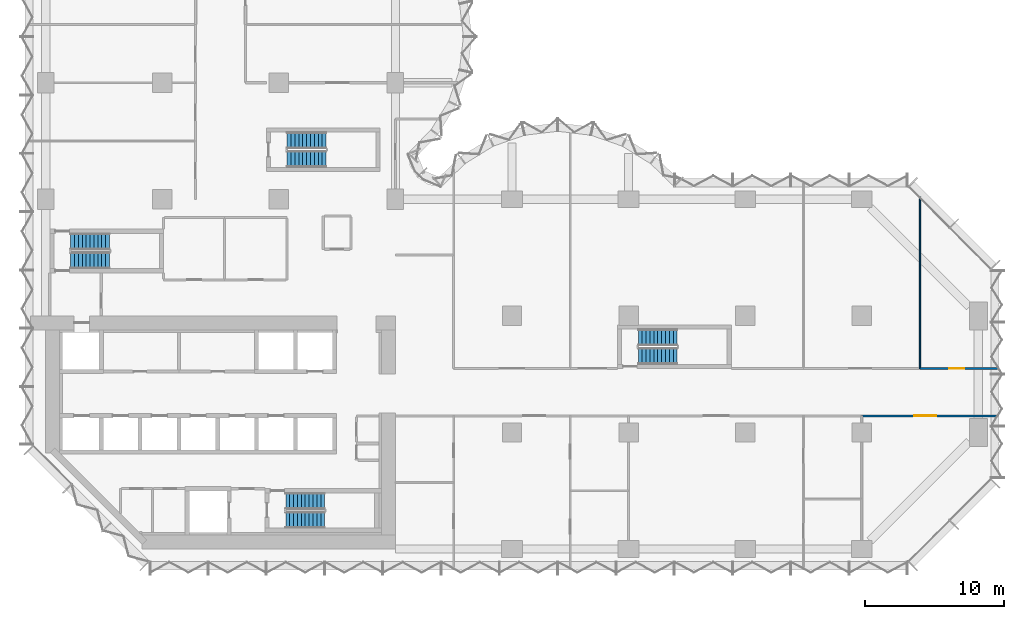
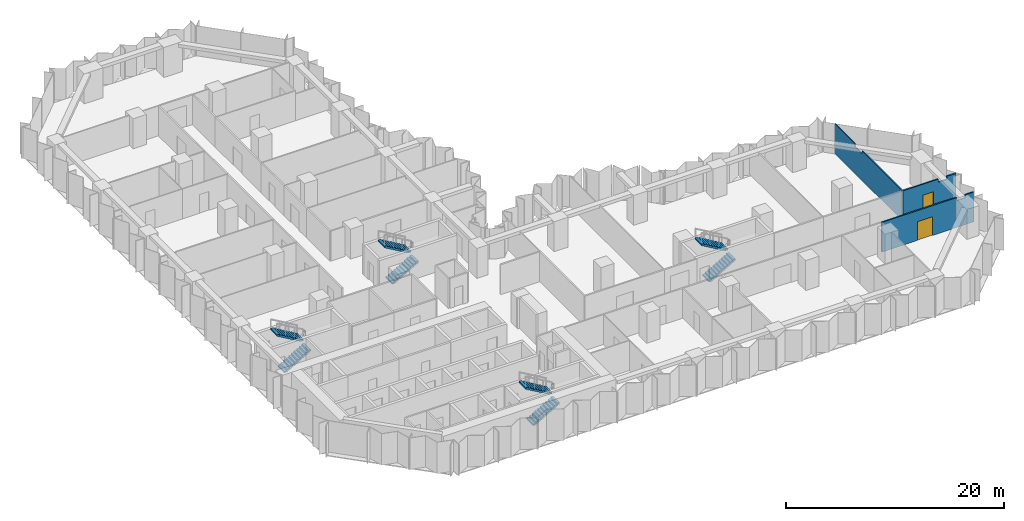
# One storey, part 12 of 15: 8 stair flights, 3 walls, 2 doors, 2 openings, 4 elements without a shape of their own.
"""IFC4 building model written with IfcOpenShell, lengths in metres."""

from ifc_helpers import new_model, si_unit, direction, frame, frame_2d, origin, place, context, subcontext, project, spatial, polyline, rectangle, outline, extrude, material, layer, layer_set, type_object, element, fill, aggregate, save


model = new_model("IFC4")

# Units and contexts
model_context = context("Model", 3, precision=1e-05, world=origin(), true_north=direction((0.0, 1.0)))
body_context = subcontext(model_context, "Body", "Model", "MODEL_VIEW")
ifc_project = project(units=[si_unit("LENGTHUNIT", "METRE"), si_unit("AREAUNIT", "SQUARE_METRE"), si_unit("VOLUMEUNIT", "CUBIC_METRE"), si_unit("PLANEANGLEUNIT", "RADIAN"), si_unit("MASSUNIT", "GRAM", prefix="KILO")], contexts=[model_context])

# Site, building, storey
site_placement = place(None, origin())
site = spatial("IfcSite", under=ifc_project, at=site_placement, CompositionType="ELEMENT")
building_placement = place(site_placement, origin())
building = spatial("IfcBuilding", under=site, at=building_placement, Name="Brevane Broadcast Tower", CompositionType="ELEMENT")
storey_placement = place(building_placement, frame((0.0, 0.0, 50.89990234375)))
storey = spatial("IfcBuildingStorey", under=building, at=storey_placement, Name="L10", CompositionType="ELEMENT", Elevation=50.89990234375)

# Wall
ifc_material_1 = material(Name="Gypsum board partition")
ifc_layer_1 = layer(ifc_material_1, 0.10009765625)
ifc_layer_set_1 = layer_set([ifc_layer_1], Name="PARTITION 100 STUD")
wall_type_1 = type_object("IfcWallType", Name="PARTITION 100 STUD", PredefinedType="PARTITIONING", material=ifc_layer_set_1)
wall_1_placement = place(storey_placement, frame((63.0, 25.39990234375, 0.0), z_axis=(0.0, 0.0, 1.0), x_axis=(0.0, -1.0, 0.0)))
element("IfcWall", 1, at=wall_1_placement, inside=storey, type_object=wall_type_1, Name="Partition G02-034", PredefinedType="PARTITIONING", context=body_context, shape_type="SweptSolid", body=[
    extrude(outline(polyline([(0.0, 0.0), (12.39990234375, 0.0), (12.39990234375, 3.330078125), (5.065673828125, 3.330078125), (5.063720703125, 2.97998046875), (3.736328125, 2.97998046875), (3.734375, 3.330078125), (0.0, 3.330078125), (0.0, 0.0)])), frame((0.0, 0.050048828125, 0.0), z_axis=(0.0, -1.0, 0.0), x_axis=(1.0, 0.0, 0.0)), (0.0, 0.0, 1.0), 0.10009765625),
])

# Wall, opening, door
ifc_layer_2 = layer(ifc_material_1, 0.14990234375)
ifc_layer_set_2 = layer_set([ifc_layer_2], Name="PARTITION 150 EI 60")
wall_type_2 = type_object("IfcWallType", Name="PARTITION 150 EI 60", PredefinedType="PARTITIONING", material=ifc_layer_set_2)
wall_2_placement = place(storey_placement, frame((68.530517578125, 9.60009765625, 0.0), z_axis=(0.0, 0.0, 1.0), x_axis=(-1.0, 0.0, 0.0)))
wall_2 = element("IfcWall", 2, at=wall_2_placement, inside=storey, type_object=wall_type_2, Name="Partition G02-011", PredefinedType="PARTITIONING", context=body_context, shape_type="SweptSolid", body=[
    extrude(outline(polyline([(0.0, 0.0), (9.73046875, 0.0), (9.73046875, 3.330078125), (1.780517578125, 3.330078125), (1.778564453125, 2.97998046875), (0.882568359375, 2.97998046875), (0.880615234375, 3.330078125), (0.25048828125, 3.330078125), (0.0, 3.330078125), (0.0, 0.0)])), frame((0.0, 0.074951171875, 0.0), z_axis=(0.0, -1.0, 0.0), x_axis=(1.0, 0.0, 0.0)), (0.0, 0.0, 1.0), 0.14990234375),
])
opening_1_placement = place(wall_2_placement, frame((4.3505859375, 0.0, 0.0)))
opening_1 = element("IfcOpeningElement", 3, at=opening_1_placement, cuts=wall_2, Name="Opening D08-010", PredefinedType="OPENING", context=body_context, shape_type="SweptSolid", body=[
    extrude(rectangle(XDim=1.60009765625, YDim=2.10009765625, at=frame_2d((0.800048828125, 1.050048828125))), frame((0.0, 0.0849609375, 0.0), z_axis=(0.0, -1.0, 0.0), x_axis=(1.0, 0.0, 0.0)), (0.0, 0.0, 1.0), 0.169921875),
])
ifc_material_2 = material(Name="Fire-rated timber door leaf", Category="wood")
door_type_1 = type_object("IfcDoorType", Name="DOOR DOUBLE 1600 FD30S", OperationType="DOUBLE_DOOR_SINGLE_SWING", PredefinedType="DOOR", material=ifc_material_2)
door_1_placement = place(opening_1_placement, origin())
door_1 = element("IfcDoor", 4, at=door_1_placement, inside=storey, type_object=door_type_1, Name="Door D08-010", OperationType="DOUBLE_DOOR_SINGLE_SWING", OverallHeight=2.10009765625, OverallWidth=1.60009765625, PredefinedType="DOOR", context=body_context, shape_type="SweptSolid", body=[
    extrude(rectangle(XDim=1.60009765625, YDim=2.10009765625, at=frame_2d((0.800048828125, 1.050048828125))), frame((0.0, 0.02490234375, 0.0), z_axis=(0.0, -1.0, 0.0), x_axis=(1.0, 0.0, 0.0)), (0.0, 0.0, 1.0), 0.050048828125),
])
fill(opening_1, door_1)

wall_3_placement = place(storey_placement, frame((63.0, 13.0, 0.0), z_axis=(0.0, 0.0, 1.0), x_axis=(1.0, 0.0, 0.0)))
wall_3 = element("IfcWall", 5, at=wall_3_placement, inside=storey, type_object=wall_type_2, Name="Partition G02-016", PredefinedType="PARTITIONING", context=body_context, shape_type="SweptSolid", body=[
    extrude(outline(polyline([(0.0, 0.0), (5.619384765625, 0.0), (5.619384765625, 3.330078125), (5.280029296875, 3.330078125), (4.64990234375, 3.330078125), (4.64794921875, 2.97998046875), (3.751953125, 2.97998046875), (3.75, 3.330078125), (0.0, 3.330078125), (0.0, 0.0)])), frame((0.0, 0.074951171875, 0.0), z_axis=(0.0, -1.0, 0.0), x_axis=(1.0, 0.0, 0.0)), (0.0, 0.0, 1.0), 0.14990234375),
])
opening_2_placement = place(wall_3_placement, frame((2.10009765625, 0.0, 0.0)))
opening_2 = element("IfcOpeningElement", 6, at=opening_2_placement, cuts=wall_3, Name="Opening D08-014", PredefinedType="OPENING", context=body_context, shape_type="SweptSolid", body=[
    extrude(rectangle(XDim=1.10009765625, YDim=2.10009765625, at=frame_2d((0.550048828125, 1.050048828125))), frame((0.0, 0.0849609375, 0.0), z_axis=(0.0, -1.0, 0.0), x_axis=(1.0, 0.0, 0.0)), (0.0, 0.0, 1.0), 0.169921875),
])
door_type_2 = type_object("IfcDoorType", Name="DOOR SINGLE 1100 FD30S", OperationType="SINGLE_SWING_LEFT", PredefinedType="DOOR", material=ifc_material_2)
door_2_placement = place(opening_2_placement, origin())
door_2 = element("IfcDoor", 7, at=door_2_placement, inside=storey, type_object=door_type_2, Name="Door D08-014", OperationType="SINGLE_SWING_LEFT", OverallHeight=2.10009765625, OverallWidth=1.10009765625, PredefinedType="DOOR", context=body_context, shape_type="SweptSolid", body=[
    extrude(rectangle(XDim=1.10009765625, YDim=2.10009765625, at=frame_2d((0.550048828125, 1.050048828125))), frame((0.0, 0.02490234375, 0.0), z_axis=(0.0, -1.0, 0.0), x_axis=(1.0, 0.0, 0.0)), (0.0, 0.0, 1.0), 0.050048828125),
])
fill(opening_2, door_2)

# Stair, stair flights
ifc_material_3 = material(Name="Concrete C50/60", Category="concrete")
stair_type = type_object("IfcStairType", Name="Exit stair 22 risers", PredefinedType="HALF_TURN_STAIR", material=ifc_material_3)
stair_1_placement = place(storey_placement, origin())
stair_1 = element("IfcStair", 8, at=stair_1_placement, inside=storey, type_object=stair_type, Name="L10 Exit stair ST-1", PredefinedType="HALF_TURN_STAIR")
stair_flight_type = type_object("IfcStairFlightType", Name="Exit stair flight 22 risers", PredefinedType="STRAIGHT", material=ifc_material_3)
stair_flight_1_placement = place(storey_placement, frame((1.800048828125, 20.800048828125, 0.0), z_axis=(0.0, 0.0, 1.0), x_axis=(1.0, 0.0, 0.0)))
stair_flight_1 = element("IfcStairFlight", 9, at=stair_flight_1_placement, type_object=stair_flight_type, Name="ST-1 flight 1", NumberOfRisers=11, NumberOfTreads=10, PredefinedType="STRAIGHT", RiserHeight=0.163636364, TreadLength=0.28, context=body_context, shape_type="SweptSolid", body=[
    extrude(outline(polyline([(0.0, 0.0), (0.0, 0.16357421875), (0.280029296875, 0.16357421875), (0.280029296875, 0.327392578125), (0.56005859375, 0.327392578125), (0.56005859375, 0.490966796875), (0.840087890625, 0.490966796875), (0.840087890625, 0.654541015625), (1.1201171875, 0.654541015625), (1.1201171875, 0.818115234375), (1.39990234375, 0.818115234375), (1.39990234375, 0.98193359375), (1.679931640625, 0.98193359375), (1.679931640625, 1.1455078125), (1.9599609375, 1.1455078125), (1.9599609375, 1.30908203125), (2.239990234375, 1.30908203125), (2.239990234375, 1.47265625), (2.52001953125, 1.47265625), (2.52001953125, 1.636474609375), (2.800048828125, 1.636474609375), (2.800048828125, 1.800048828125), (2.800048828125, 1.462646484375), (0.297119140625, 0.0), (0.0, 0.0)])), frame((0.0, 0.60009765625, 0.0), z_axis=(0.0, -1.0, 0.0), x_axis=(1.0, 0.0, 0.0)), (0.0, 0.0, 1.0), 1.199951171875),
])
stair_flight_2_placement = place(storey_placement, frame((4.60009765625, 22.14990234375, 1.800048828125), z_axis=(0.0, 0.0, 1.0), x_axis=(-1.0, 0.0, 0.0)))
stair_flight_2 = element("IfcStairFlight", 10, at=stair_flight_2_placement, type_object=stair_flight_type, Name="ST-1 flight 2", NumberOfRisers=11, NumberOfTreads=10, PredefinedType="STRAIGHT", RiserHeight=0.163636364, TreadLength=0.28, context=body_context, shape_type="SweptSolid", body=[
    extrude(outline(polyline([(0.0, 0.0), (0.0, 0.16357421875), (0.280029296875, 0.16357421875), (0.280029296875, 0.327392578125), (0.56005859375, 0.327392578125), (0.56005859375, 0.490966796875), (0.840087890625, 0.490966796875), (0.840087890625, 0.654541015625), (1.1201171875, 0.654541015625), (1.1201171875, 0.818115234375), (1.39990234375, 0.818115234375), (1.39990234375, 0.98193359375), (1.679931640625, 0.98193359375), (1.679931640625, 1.1455078125), (1.9599609375, 1.1455078125), (1.9599609375, 1.30908203125), (2.239990234375, 1.30908203125), (2.239990234375, 1.47265625), (2.52001953125, 1.47265625), (2.52001953125, 1.636474609375), (2.800048828125, 1.636474609375), (2.800048828125, 1.800048828125), (2.800048828125, 1.462646484375), (0.297119140625, 0.0), (0.0, 0.0)])), frame((0.0, 0.60009765625, 0.0), z_axis=(0.0, -1.0, 0.0), x_axis=(1.0, 0.0, 0.0)), (0.0, 0.0, 1.0), 1.199951171875),
])
aggregate(stair_1, [stair_flight_1, stair_flight_2])

stair_2_placement = place(storey_placement, origin())
stair_2 = element("IfcStair", 11, at=stair_2_placement, inside=storey, type_object=stair_type, Name="L10 Exit stair ST-2", PredefinedType="HALF_TURN_STAIR")
stair_flight_3_placement = place(storey_placement, frame((17.300048828125, 2.10009765625, 0.0), z_axis=(0.0, 0.0, 1.0), x_axis=(1.0, 0.0, 0.0)))
stair_flight_3 = element("IfcStairFlight", 12, at=stair_flight_3_placement, type_object=stair_flight_type, Name="ST-2 flight 1", NumberOfRisers=11, NumberOfTreads=10, PredefinedType="STRAIGHT", RiserHeight=0.163636364, TreadLength=0.28, context=body_context, shape_type="SweptSolid", body=[
    extrude(outline(polyline([(0.0, 0.0), (0.0, 0.16357421875), (0.280029296875, 0.16357421875), (0.280029296875, 0.327392578125), (0.56005859375, 0.327392578125), (0.56005859375, 0.490966796875), (0.840087890625, 0.490966796875), (0.840087890625, 0.654541015625), (1.1201171875, 0.654541015625), (1.1201171875, 0.818115234375), (1.39990234375, 0.818115234375), (1.39990234375, 0.98193359375), (1.679931640625, 0.98193359375), (1.679931640625, 1.1455078125), (1.9599609375, 1.1455078125), (1.9599609375, 1.30908203125), (2.239990234375, 1.30908203125), (2.239990234375, 1.47265625), (2.52001953125, 1.47265625), (2.52001953125, 1.636474609375), (2.800048828125, 1.636474609375), (2.800048828125, 1.800048828125), (2.800048828125, 1.462646484375), (0.297119140625, 0.0), (0.0, 0.0)])), frame((0.0, 0.60009765625, 0.0), z_axis=(0.0, -1.0, 0.0), x_axis=(1.0, 0.0, 0.0)), (0.0, 0.0, 1.0), 1.199951171875),
])
stair_flight_4_placement = place(storey_placement, frame((20.10009765625, 3.449951171875, 1.800048828125), z_axis=(0.0, 0.0, 1.0), x_axis=(-1.0, 0.0, 0.0)))
stair_flight_4 = element("IfcStairFlight", 13, at=stair_flight_4_placement, type_object=stair_flight_type, Name="ST-2 flight 2", NumberOfRisers=11, NumberOfTreads=10, PredefinedType="STRAIGHT", RiserHeight=0.163636364, TreadLength=0.28, context=body_context, shape_type="SweptSolid", body=[
    extrude(outline(polyline([(0.0, 0.0), (0.0, 0.16357421875), (0.280029296875, 0.16357421875), (0.280029296875, 0.327392578125), (0.56005859375, 0.327392578125), (0.56005859375, 0.490966796875), (0.840087890625, 0.490966796875), (0.840087890625, 0.654541015625), (1.1201171875, 0.654541015625), (1.1201171875, 0.818115234375), (1.39990234375, 0.818115234375), (1.39990234375, 0.98193359375), (1.679931640625, 0.98193359375), (1.679931640625, 1.1455078125), (1.9599609375, 1.1455078125), (1.9599609375, 1.30908203125), (2.239990234375, 1.30908203125), (2.239990234375, 1.47265625), (2.52001953125, 1.47265625), (2.52001953125, 1.636474609375), (2.800048828125, 1.636474609375), (2.800048828125, 1.800048828125), (2.800048828125, 1.462646484375), (0.297119140625, 0.0), (0.0, 0.0)])), frame((0.0, 0.60009765625, 0.0), z_axis=(0.0, -1.0, 0.0), x_axis=(1.0, 0.0, 0.0)), (0.0, 0.0, 1.0), 1.199951171875),
])
aggregate(stair_2, [stair_flight_3, stair_flight_4])

stair_3_placement = place(storey_placement, origin())
stair_3 = element("IfcStair", 14, at=stair_3_placement, inside=storey, type_object=stair_type, Name="L10 Exit stair ST-3", PredefinedType="HALF_TURN_STAIR")
stair_flight_5_placement = place(storey_placement, frame((17.39990234375, 28.10009765625, 0.0), z_axis=(0.0, 0.0, 1.0), x_axis=(1.0, 0.0, 0.0)))
stair_flight_5 = element("IfcStairFlight", 15, at=stair_flight_5_placement, type_object=stair_flight_type, Name="ST-3 flight 1", NumberOfRisers=11, NumberOfTreads=10, PredefinedType="STRAIGHT", RiserHeight=0.163636364, TreadLength=0.28, context=body_context, shape_type="SweptSolid", body=[
    extrude(outline(polyline([(0.0, 0.0), (0.0, 0.16357421875), (0.280029296875, 0.16357421875), (0.280029296875, 0.327392578125), (0.56005859375, 0.327392578125), (0.56005859375, 0.490966796875), (0.840087890625, 0.490966796875), (0.840087890625, 0.654541015625), (1.1201171875, 0.654541015625), (1.1201171875, 0.818115234375), (1.39990234375, 0.818115234375), (1.39990234375, 0.98193359375), (1.679931640625, 0.98193359375), (1.679931640625, 1.1455078125), (1.9599609375, 1.1455078125), (1.9599609375, 1.30908203125), (2.239990234375, 1.30908203125), (2.239990234375, 1.47265625), (2.52001953125, 1.47265625), (2.52001953125, 1.636474609375), (2.800048828125, 1.636474609375), (2.800048828125, 1.800048828125), (2.800048828125, 1.462646484375), (0.297119140625, 0.0), (0.0, 0.0)])), frame((0.0, 0.60009765625, 0.0), z_axis=(0.0, -1.0, 0.0), x_axis=(1.0, 0.0, 0.0)), (0.0, 0.0, 1.0), 1.199951171875),
])
stair_flight_6_placement = place(storey_placement, frame((20.199951171875, 29.449951171875, 1.800048828125), z_axis=(0.0, 0.0, 1.0), x_axis=(-1.0, 0.0, 0.0)))
stair_flight_6 = element("IfcStairFlight", 16, at=stair_flight_6_placement, type_object=stair_flight_type, Name="ST-3 flight 2", NumberOfRisers=11, NumberOfTreads=10, PredefinedType="STRAIGHT", RiserHeight=0.163636364, TreadLength=0.28, context=body_context, shape_type="SweptSolid", body=[
    extrude(outline(polyline([(0.0, 0.0), (0.0, 0.16357421875), (0.280029296875, 0.16357421875), (0.280029296875, 0.327392578125), (0.56005859375, 0.327392578125), (0.56005859375, 0.490966796875), (0.840087890625, 0.490966796875), (0.840087890625, 0.654541015625), (1.1201171875, 0.654541015625), (1.1201171875, 0.818115234375), (1.39990234375, 0.818115234375), (1.39990234375, 0.98193359375), (1.679931640625, 0.98193359375), (1.679931640625, 1.1455078125), (1.9599609375, 1.1455078125), (1.9599609375, 1.30908203125), (2.239990234375, 1.30908203125), (2.239990234375, 1.47265625), (2.52001953125, 1.47265625), (2.52001953125, 1.636474609375), (2.800048828125, 1.636474609375), (2.800048828125, 1.800048828125), (2.800048828125, 1.462646484375), (0.297119140625, 0.0), (0.0, 0.0)])), frame((0.0, 0.60009765625, 0.0), z_axis=(0.0, -1.0, 0.0), x_axis=(1.0, 0.0, 0.0)), (0.0, 0.0, 1.0), 1.199951171875),
])
aggregate(stair_3, [stair_flight_5, stair_flight_6])

stair_4_placement = place(storey_placement, origin())
stair_4 = element("IfcStair", 17, at=stair_4_placement, inside=storey, type_object=stair_type, Name="L10 Exit stair ST-4", PredefinedType="HALF_TURN_STAIR")
stair_flight_7_placement = place(storey_placement, frame((42.699951171875, 13.89990234375, 0.0), z_axis=(0.0, 0.0, 1.0), x_axis=(1.0, 0.0, 0.0)))
stair_flight_7 = element("IfcStairFlight", 18, at=stair_flight_7_placement, type_object=stair_flight_type, Name="ST-4 flight 1", NumberOfRisers=11, NumberOfTreads=10, PredefinedType="STRAIGHT", RiserHeight=0.163636364, TreadLength=0.28, context=body_context, shape_type="SweptSolid", body=[
    extrude(outline(polyline([(0.0, 0.0), (0.0, 0.16357421875), (0.280029296875, 0.16357421875), (0.280029296875, 0.327392578125), (0.56005859375, 0.327392578125), (0.56005859375, 0.490966796875), (0.840087890625, 0.490966796875), (0.840087890625, 0.654541015625), (1.1201171875, 0.654541015625), (1.1201171875, 0.818115234375), (1.39990234375, 0.818115234375), (1.39990234375, 0.98193359375), (1.679931640625, 0.98193359375), (1.679931640625, 1.1455078125), (1.9599609375, 1.1455078125), (1.9599609375, 1.30908203125), (2.239990234375, 1.30908203125), (2.239990234375, 1.47265625), (2.52001953125, 1.47265625), (2.52001953125, 1.636474609375), (2.800048828125, 1.636474609375), (2.800048828125, 1.800048828125), (2.800048828125, 1.462646484375), (0.297119140625, 0.0), (0.0, 0.0)])), frame((0.0, 0.60009765625, 0.0), z_axis=(0.0, -1.0, 0.0), x_axis=(1.0, 0.0, 0.0)), (0.0, 0.0, 1.0), 1.199951171875),
])
stair_flight_8_placement = place(storey_placement, frame((45.5, 15.25, 1.800048828125), z_axis=(0.0, 0.0, 1.0), x_axis=(-1.0, 0.0, 0.0)))
stair_flight_8 = element("IfcStairFlight", 19, at=stair_flight_8_placement, type_object=stair_flight_type, Name="ST-4 flight 2", NumberOfRisers=11, NumberOfTreads=10, PredefinedType="STRAIGHT", RiserHeight=0.163636364, TreadLength=0.28, context=body_context, shape_type="SweptSolid", body=[
    extrude(outline(polyline([(0.0, 0.0), (0.0, 0.16357421875), (0.280029296875, 0.16357421875), (0.280029296875, 0.327392578125), (0.56005859375, 0.327392578125), (0.56005859375, 0.490966796875), (0.840087890625, 0.490966796875), (0.840087890625, 0.654541015625), (1.1201171875, 0.654541015625), (1.1201171875, 0.818115234375), (1.39990234375, 0.818115234375), (1.39990234375, 0.98193359375), (1.679931640625, 0.98193359375), (1.679931640625, 1.1455078125), (1.9599609375, 1.1455078125), (1.9599609375, 1.30908203125), (2.239990234375, 1.30908203125), (2.239990234375, 1.47265625), (2.52001953125, 1.47265625), (2.52001953125, 1.636474609375), (2.800048828125, 1.636474609375), (2.800048828125, 1.800048828125), (2.800048828125, 1.462646484375), (0.297119140625, 0.0), (0.0, 0.0)])), frame((0.0, 0.60009765625, 0.0), z_axis=(0.0, -1.0, 0.0), x_axis=(1.0, 0.0, 0.0)), (0.0, 0.0, 1.0), 1.199951171875),
])
aggregate(stair_4, [stair_flight_7, stair_flight_8])

save(model, "model.ifc")
